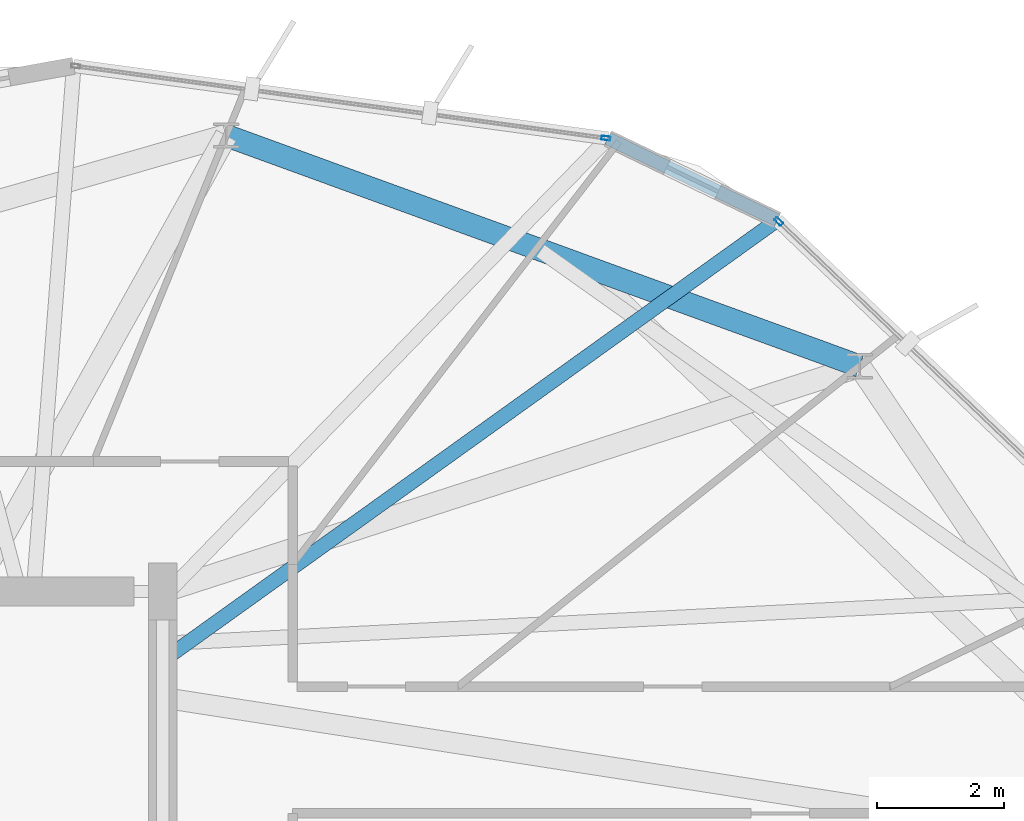
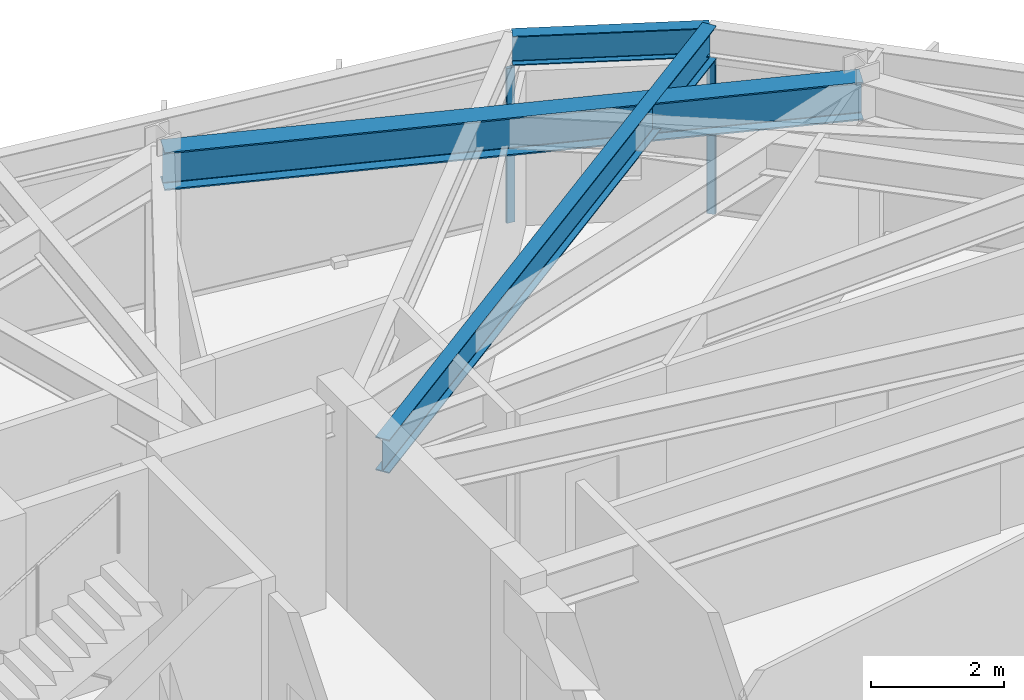
# One storey, part 19 of 26: 3 beams, 2 members, 2 elements without a shape of their own.
"""IFC4 building model written with IfcOpenShell, lengths in metres."""

from ifc_helpers import new_model, si_unit, direction, frame, origin, origin_2d, place, context, subcontext, project, spatial, hollow_rectangle, i_section, extrude, material, layer, layer_set, material_profile, profile_set, type_object, element, aggregate, save


model = new_model("IFC4")

# Units and contexts
model_context = context("Model", 3, precision=1e-05, world=origin(), true_north=direction((0.0, 1.0)))
body_context = subcontext(model_context, "Body", "Model", "MODEL_VIEW")
ifc_project = project(units=[si_unit("LENGTHUNIT", "METRE"), si_unit("AREAUNIT", "SQUARE_METRE"), si_unit("VOLUMEUNIT", "CUBIC_METRE"), si_unit("PLANEANGLEUNIT", "RADIAN"), si_unit("MASSUNIT", "GRAM", prefix="KILO")], contexts=[model_context])

# Site, building, storey
site_placement = place(None, origin())
site = spatial("IfcSite", under=ifc_project, at=site_placement, CompositionType="ELEMENT")
building_placement = place(site_placement, origin())
building = spatial("IfcBuilding", under=site, at=building_placement, Name="Soratama Intermodal Tower", CompositionType="ELEMENT")
storey_placement = place(building_placement, frame((0.0, 0.0, 268.75)))
storey = spatial("IfcBuildingStorey", under=building, at=storey_placement, Name="L68", CompositionType="ELEMENT", Elevation=268.75)

# Beams
ifc_material_1 = material(Name="Structural steel ASTM A992 Grade 50", Category="steel")
ifc_material_profile_1 = material_profile(ifc_material_1, i_section(OverallWidth=0.35498046875, OverallDepth=0.695068359375, WebThickness=0.015380859375, FlangeThickness=0.02490234375, FilletRadius=0.01611328125, at=origin_2d()), Name="W27X146")
ifc_profile_set_1 = profile_set([ifc_material_profile_1], Name="Structural steel ASTM A992 Grade 50")
beam_type_1 = type_object("IfcBeamType", Name="BM-RING-W27X146", PredefinedType="BEAM", material=ifc_profile_set_1)
beam_1_placement = place(storey_placement, frame((55.589111328125, 38.553955078125, 3.1025390625), z_axis=(-0.939684073866, 0.342043624883, 0.0), x_axis=(-0.342043624883, -0.939684073866, 0.0)))
element("IfcBeam", 1, at=beam_1_placement, inside=storey, type_object=beam_type_1, Name="BM-L68-RING-02", PredefinedType="BEAM", context=body_context, shape_type="SweptSolid", body=[
    extrude(i_section(OverallWidth=0.35498046875, OverallDepth=0.695068359375, WebThickness=0.015380859375, FlangeThickness=0.02490234375, FilletRadius=0.01611328125, at=origin_2d()), origin(), (0.0, 0.0, 1.0), 10.630126953125),
])
ifc_material_2 = material(Name="Structural steel ASTM A992 Grade 50", Category="steel")
ifc_material_profile_2 = material_profile(ifc_material_2, i_section(OverallWidth=0.2099609375, OverallDepth=0.537109375, WebThickness=0.010986328125, FlangeThickness=0.017333984375, FilletRadius=0.012939453125, at=origin_2d()), Name="W21X68")
ifc_profile_set_2 = profile_set([ifc_material_profile_2], Name="Structural steel ASTM A992 Grade 50")
beam_type_2 = type_object("IfcBeamType", Name="BM-SPN-W21X68", PredefinedType="SPANDREL", material=ifc_profile_set_2)
beam_2_placement = place(storey_placement, frame((54.291015625, 40.85595703125, 3.181396484375), z_axis=(-0.900673807124, 0.434495906954, 0.0), x_axis=(-0.434495906954, -0.900673807124, 0.0)))
element("IfcBeam", 2, at=beam_2_placement, inside=storey, type_object=beam_type_2, Name="BS-L68-CRN10", PredefinedType="SPANDREL", context=body_context, shape_type="SweptSolid", body=[
    extrude(i_section(OverallWidth=0.2099609375, OverallDepth=0.537109375, WebThickness=0.010986328125, FlangeThickness=0.017333984375, FilletRadius=0.012939453125, at=origin_2d()), origin(), (0.0, 0.0, 1.0), 2.966796875),
])
ifc_material_3 = material(Name="Structural steel ASTM A992 Grade 50", Category="steel")
ifc_material_profile_3 = material_profile(ifc_material_3, i_section(OverallWidth=0.22900390625, OverallDepth=0.612060546875, WebThickness=0.011962890625, FlangeThickness=0.01953125, FilletRadius=0.012939453125, at=origin_2d()), Name="W24X84")
ifc_profile_set_3 = profile_set([ifc_material_profile_3], Name="Structural steel ASTM A992 Grade 50")
beam_type_3 = type_object("IfcBeamType", Name="BM-TIE-W24X84", PredefinedType="BEAM", material=ifc_profile_set_3)
beam_3_placement = place(storey_placement, frame((44.633056640625, 33.93310546875, 3.14404296875), z_axis=(0.812764755356, 0.582592012004, 0.0), x_axis=(-0.582592012004, 0.812764755356, 0.0)))
element("IfcBeam", 3, at=beam_3_placement, inside=storey, type_object=beam_type_3, Name="BM-L68-TIE1-10", PredefinedType="BEAM", context=body_context, shape_type="SweptSolid", body=[
    extrude(i_section(OverallWidth=0.22900390625, OverallDepth=0.612060546875, WebThickness=0.011962890625, FlangeThickness=0.01953125, FilletRadius=0.012939453125, at=origin_2d()), origin(), (0.0, 0.0, 1.0), 11.8828125),
])

# Curtain wall, member
ifc_material_4 = material(Name="Double-glazed aluminium curtain wall", Category="aluminium")
ifc_layer = layer(ifc_material_4, 0.159912109375)
ifc_layer_set = layer_set([ifc_layer], Name="Double-glazed aluminium curtain wall")
curtain_wall_type = type_object("IfcCurtainWallType", Name="CW-SYS-5", PredefinedType="NOTDEFINED", material=ifc_layer_set)
curtain_wall_1_placement = place(storey_placement, origin())
curtain_wall_1 = element("IfcCurtainWall", 4, at=curtain_wall_1_placement, inside=storey, type_object=curtain_wall_type, Name="L68 Faceted Curtain Wall F01", PredefinedType="NOTDEFINED")
ifc_material_5 = material(Name="Anodised aluminium AA 6063-T6", Category="aluminium")
ifc_material_profile_4 = material_profile(ifc_material_5, hollow_rectangle(XDim=0.06494140625, YDim=0.139892578125, WallThickness=0.0048828125, InnerFilletRadius=0.0048828125, OuterFilletRadius=0.010009765625, at=origin_2d()), Name="CWM140X65X5")
ifc_profile_set_4 = profile_set([ifc_material_profile_4], Name="Anodised aluminium AA 6063-T6")
member_type = type_object("IfcMemberType", Name="MT-CWM-5", PredefinedType="MULLION", material=ifc_profile_set_4)
member_1_placement = place(storey_placement, frame((51.58935546875, 42.148681640625, 0.0), z_axis=(0.0, 0.0, 1.0), x_axis=(-0.134673235263, -0.990890064389, 0.0)))
member_1 = element("IfcMember", 5, at=member_1_placement, type_object=member_type, Name="CW-5 mullion 1", PredefinedType="MULLION", context=body_context, shape_type="SweptSolid", body=[
    extrude(hollow_rectangle(XDim=0.06494140625, YDim=0.139892578125, WallThickness=0.0048828125, InnerFilletRadius=0.0048828125, OuterFilletRadius=0.010009765625, at=origin_2d()), origin(), (0.0, 0.0, 1.0), 2.8291015625),
])
aggregate(curtain_wall_1, [member_1])

curtain_wall_2_placement = place(storey_placement, origin())
curtain_wall_2 = element("IfcCurtainWall", 6, at=curtain_wall_2_placement, inside=storey, type_object=curtain_wall_type, Name="L68 Faceted Curtain Wall F10", PredefinedType="NOTDEFINED")
member_2_placement = place(storey_placement, frame((54.31298828125, 40.83544921875, 0.0), z_axis=(0.0, 0.0, 1.0), x_axis=(-0.69138850951, -0.722483168605, 0.0)))
member_2 = element("IfcMember", 7, at=member_2_placement, type_object=member_type, Name="CW-5 mullion 2", PredefinedType="MULLION", context=body_context, shape_type="SweptSolid", body=[
    extrude(hollow_rectangle(XDim=0.06494140625, YDim=0.139892578125, WallThickness=0.0048828125, InnerFilletRadius=0.0048828125, OuterFilletRadius=0.010009765625, at=origin_2d()), origin(), (0.0, 0.0, 1.0), 2.8291015625),
])
aggregate(curtain_wall_2, [member_2])

save(model, "model.ifc")
